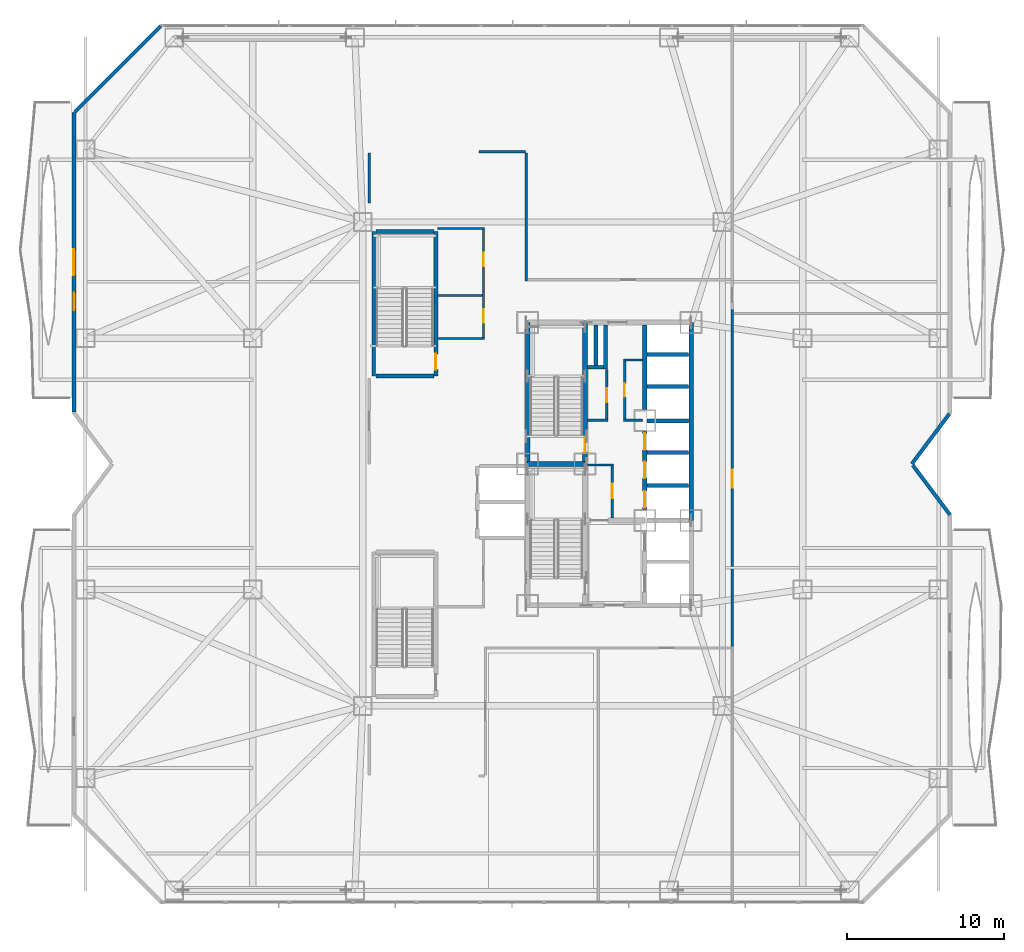
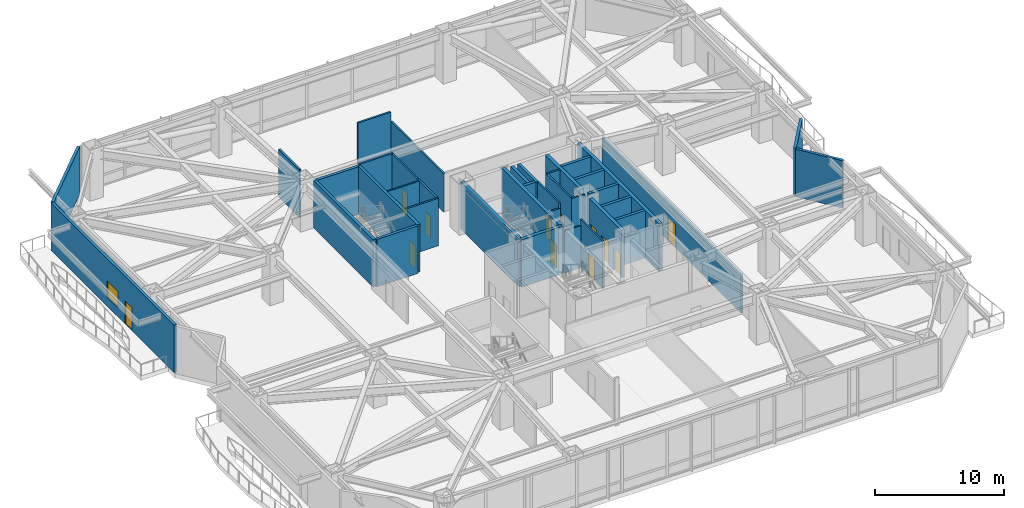
# One storey, part 24 of 33: 38 walls, 12 doors, 1 window, 13 openings.
"""IFC4 building model written with IfcOpenShell, lengths in metres."""

from ifc_helpers import new_model, si_unit, direction, frame, frame_2d, origin, place, context, subcontext, project, spatial, rectangle, extrude, material, layer, layer_set, type_object, element, fill, save


model = new_model("IFC4")

# Units and contexts
model_context = context("Model", 3, precision=1e-05, world=origin(), true_north=direction((0.0, 1.0)))
body_context = subcontext(model_context, "Body", "Model", "MODEL_VIEW")
ifc_project = project(units=[si_unit("LENGTHUNIT", "METRE"), si_unit("AREAUNIT", "SQUARE_METRE"), si_unit("VOLUMEUNIT", "CUBIC_METRE"), si_unit("PLANEANGLEUNIT", "RADIAN"), si_unit("MASSUNIT", "GRAM", prefix="KILO")], contexts=[model_context])

# Site, building, storey
site_placement = place(None, origin())
site = spatial("IfcSite", under=ifc_project, at=site_placement, CompositionType="ELEMENT")
building_placement = place(site_placement, origin())
building = spatial("IfcBuilding", under=site, at=building_placement, Name="Khamvora Tower", CompositionType="ELEMENT")
storey_placement = place(building_placement, frame((0.0, 0.0, 7.199951171875)))
storey = spatial("IfcBuildingStorey", under=building, at=storey_placement, Name="L01", CompositionType="ELEMENT", Elevation=7.199951171875)

# Walls
ifc_material_1 = material(Name="Concrete C50/60", Category="concrete")
ifc_layer_1 = layer(ifc_material_1, 0.300048828125)
ifc_layer_set_1 = layer_set([ifc_layer_1], Name="Concrete C50/60")
wall_type_1 = type_object("IfcWallType", Name="WAL-CORE-300", PredefinedType="SHEAR", material=ifc_layer_set_1)
wall_1_placement = place(storey_placement, frame((29.0, 28.0, 0.0), z_axis=(0.0, 0.0, 1.0), x_axis=(0.0, 1.0, 0.0)))
element("IfcWall", 1, at=wall_1_placement, inside=storey, type_object=wall_type_1, Name="L01 central core west north wall", PredefinedType="SHEAR", context=body_context, shape_type="SweptSolid", body=[
    extrude(rectangle(XDim=9.0, YDim=0.300048828125, at=frame_2d((4.5, 0.0))), origin(), (0.0, 0.0, 1.0), 4.47998046875),
])
wall_2_placement = place(storey_placement, frame((39.39990234375, 24.39990234375, 0.0), z_axis=(0.0, 0.0, 1.0), x_axis=(0.0, 1.0, 0.0)))
element("IfcWall", 2, at=wall_2_placement, inside=storey, type_object=wall_type_1, Name="L01 central core east north wall", PredefinedType="SHEAR", context=body_context, shape_type="SweptSolid", body=[
    extrude(rectangle(XDim=12.60009765625, YDim=0.300048828125, at=frame_2d((6.300048828125, 0.0))), origin(), (0.0, 0.0, 1.0), 4.47998046875),
])

# Wall, opening, door
wall_3_placement = place(storey_placement, frame((32.64990234375, 28.0, 0.0), z_axis=(0.0, 0.0, 1.0), x_axis=(0.0, 1.0, 0.0)))
wall_3 = element("IfcWall", 3, at=wall_3_placement, inside=storey, type_object=wall_type_1, Name="L01 central core stair north spine wall", PredefinedType="SHEAR", context=body_context, shape_type="SweptSolid", body=[
    extrude(rectangle(XDim=9.0, YDim=0.300048828125, at=frame_2d((4.5, 0.0))), origin(), (0.0, 0.0, 1.0), 4.47998046875),
])
opening_1_placement = place(wall_3_placement, frame((0.719970703125, 0.0, 0.0)))
opening_1 = element("IfcOpeningElement", 4, at=opening_1_placement, cuts=wall_3, Name="Opening D-ST1", PredefinedType="OPENING", context=body_context, shape_type="SweptSolid", body=[
    extrude(rectangle(XDim=1.0, YDim=2.14990234375, at=frame_2d((0.5, 1.074951171875))), frame((0.0, 0.159912109375, 0.0), z_axis=(0.0, -1.0, 0.0), x_axis=(1.0, 0.0, 0.0)), (0.0, 0.0, 1.0), 0.320068359375),
])
ifc_material_2 = material(Name="Powder-Coated Steel and Hardwood Leaf", Category="steel")
door_type_1 = type_object("IfcDoorType", Name="DOR-STAIR-1000", OperationType="NOTDEFINED", PredefinedType="DOOR", material=ifc_material_2)
door_1_placement = place(opening_1_placement, origin())
door_1 = element("IfcDoor", 5, at=door_1_placement, inside=storey, type_object=door_type_1, Name="L01 exit stair ST-02 fire door", OperationType="SINGLE_SWING_RIGHT", OverallHeight=2.14990234375, OverallWidth=1.0, PredefinedType="DOOR", context=body_context, shape_type="SweptSolid", body=[
    extrude(rectangle(XDim=1.0, YDim=2.14990234375, at=frame_2d((0.5, 1.074951171875))), frame((0.0, 0.02490234375, 0.0), z_axis=(0.0, -1.0, 0.0), x_axis=(1.0, 0.0, 0.0)), (0.0, 0.0, 1.0), 0.050048828125),
])
fill(opening_1, door_1)

# Wall
wall_4_placement = place(storey_placement, frame((29.0, 28.0, 0.0), z_axis=(0.0, 0.0, 1.0), x_axis=(1.0, 0.0, 0.0)))
element("IfcWall", 6, at=wall_4_placement, inside=storey, type_object=wall_type_1, Name="L01 central core stair cross wall", PredefinedType="SHEAR", context=body_context, shape_type="SweptSolid", body=[
    extrude(rectangle(XDim=3.64990234375, YDim=0.300048828125, at=frame_2d((1.824951171875, 0.0))), origin(), (0.0, 0.0, 1.0), 4.47998046875),
])

# Wall, openings, doors
wall_5_placement = place(storey_placement, frame((36.449951171875, 25.10009765625, 0.0), z_axis=(0.0, 0.0, 1.0), x_axis=(0.0, 1.0, 0.0)))
wall_5 = element("IfcWall", 7, at=wall_5_placement, inside=storey, type_object=wall_type_1, Name="L01 central core lift bank central wall", PredefinedType="SHEAR", context=body_context, shape_type="SweptSolid", body=[
    extrude(rectangle(XDim=4.949951171875, YDim=0.300048828125, at=frame_2d((2.47509765625, 0.0))), origin(), (0.0, 0.0, 1.0), 4.47998046875),
])
opening_2_placement = place(wall_5_placement, frame((0.1201171875, 0.0, 0.0)))
opening_2 = element("IfcOpeningElement", 8, at=opening_2_placement, cuts=wall_5, Name="Opening LD-PL", PredefinedType="OPENING", context=body_context, shape_type="SweptSolid", body=[
    extrude(rectangle(XDim=1.050048828125, YDim=2.14990234375, at=frame_2d((0.52490234375, 1.074951171875))), frame((0.0, 0.159912109375, 0.0), z_axis=(0.0, -1.0, 0.0), x_axis=(1.0, 0.0, 0.0)), (0.0, 0.0, 1.0), 0.320068359375),
])
opening_3_placement = place(wall_5_placement, frame((1.9951171875, 0.0, 0.0)))
opening_3 = element("IfcOpeningElement", 9, at=opening_3_placement, cuts=wall_5, Name="Opening LD-PL", PredefinedType="OPENING", context=body_context, shape_type="SweptSolid", body=[
    extrude(rectangle(XDim=1.050048828125, YDim=2.14990234375, at=frame_2d((0.52490234375, 1.074951171875))), frame((0.0, 0.159912109375, 0.0), z_axis=(0.0, -1.0, 0.0), x_axis=(1.0, 0.0, 0.0)), (0.0, 0.0, 1.0), 0.320068359375),
])
opening_4_placement = place(wall_5_placement, frame((3.794921875, 0.0, 0.0)))
opening_4 = element("IfcOpeningElement", 10, at=opening_4_placement, cuts=wall_5, Name="Opening LD-PL", PredefinedType="OPENING", context=body_context, shape_type="SweptSolid", body=[
    extrude(rectangle(XDim=1.050048828125, YDim=2.14990234375, at=frame_2d((0.52490234375, 1.074951171875))), frame((0.0, 0.159912109375, 0.0), z_axis=(0.0, -1.0, 0.0), x_axis=(1.0, 0.0, 0.0)), (0.0, 0.0, 1.0), 0.320068359375),
])
door_type_2 = type_object("IfcDoorType", Name="DOR-LIFT-1050", OperationType="SLIDING_TO_LEFT", PredefinedType="DOOR", material=ifc_material_2)
door_2_placement = place(opening_2_placement, origin())
door_2 = element("IfcDoor", 11, at=door_2_placement, inside=storey, type_object=door_type_2, Name="L01 lift landing sliding door PL-01", OperationType="SLIDING_TO_LEFT", OverallHeight=2.14990234375, OverallWidth=1.050048828125, PredefinedType="DOOR", context=body_context, shape_type="SweptSolid", body=[
    extrude(rectangle(XDim=1.050048828125, YDim=2.14990234375, at=frame_2d((0.52490234375, 1.074951171875))), frame((0.0, 0.02490234375, 0.0), z_axis=(0.0, -1.0, 0.0), x_axis=(1.0, 0.0, 0.0)), (0.0, 0.0, 1.0), 0.050048828125),
])
fill(opening_2, door_2)
door_3_placement = place(opening_3_placement, origin())
door_3 = element("IfcDoor", 12, at=door_3_placement, inside=storey, type_object=door_type_2, Name="L01 lift landing sliding door PL-02", OperationType="SLIDING_TO_LEFT", OverallHeight=2.14990234375, OverallWidth=1.050048828125, PredefinedType="DOOR", context=body_context, shape_type="SweptSolid", body=[
    extrude(rectangle(XDim=1.050048828125, YDim=2.14990234375, at=frame_2d((0.52490234375, 1.074951171875))), frame((0.0, 0.02490234375, 0.0), z_axis=(0.0, -1.0, 0.0), x_axis=(1.0, 0.0, 0.0)), (0.0, 0.0, 1.0), 0.050048828125),
])
fill(opening_3, door_3)
door_4_placement = place(opening_4_placement, origin())
door_4 = element("IfcDoor", 13, at=door_4_placement, inside=storey, type_object=door_type_2, Name="L01 lift landing sliding door PL-03", OperationType="SLIDING_TO_LEFT", OverallHeight=2.14990234375, OverallWidth=1.050048828125, PredefinedType="DOOR", context=body_context, shape_type="SweptSolid", body=[
    extrude(rectangle(XDim=1.050048828125, YDim=2.14990234375, at=frame_2d((0.52490234375, 1.074951171875))), frame((0.0, 0.02490234375, 0.0), z_axis=(0.0, -1.0, 0.0), x_axis=(1.0, 0.0, 0.0)), (0.0, 0.0, 1.0), 0.050048828125),
])
fill(opening_4, door_4)

# Walls
wall_6_placement = place(storey_placement, frame((36.449951171875, 31.449951171875, 0.0), z_axis=(0.0, 0.0, 1.0), x_axis=(0.0, 1.0, 0.0)))
element("IfcWall", 14, at=wall_6_placement, inside=storey, type_object=wall_type_1, Name="L01 central core lift bank north wall", PredefinedType="SHEAR", context=body_context, shape_type="SweptSolid", body=[
    extrude(rectangle(XDim=5.39599609375, YDim=0.300048828125, at=frame_2d((2.697998046875, 0.0))), origin(), (0.0, 0.0, 1.0), 4.47998046875),
])
ifc_material_3 = material(Name="Fire-Rated Drywall and Steel Stud", Category="steel")
ifc_layer_2 = layer(ifc_material_3, 0.14990234375)
ifc_layer_set_2 = layer_set([ifc_layer_2], Name="Fire-Rated Drywall and Steel Stud")
wall_type_2 = type_object("IfcWallType", Name="WAL-CORR-150", PredefinedType="STANDARD", material=ifc_layer_set_2)
wall_7_placement = place(storey_placement, frame((36.305908203125, 34.614990234375, 0.0), z_axis=(0.0, 0.0, 1.0), x_axis=(-1.0, 0.0, 0.0)))
element("IfcWall", 15, at=wall_7_placement, inside=storey, type_object=wall_type_2, Name="L01 interior partition wall 001", PredefinedType="STANDARD", context=body_context, shape_type="SweptSolid", body=[
    extrude(rectangle(XDim=1.205810546875, YDim=0.14990234375, at=frame_2d((0.60302734375, 0.0))), origin(), (0.0, 0.0, 1.0), 4.47998046875),
])

# Wall, opening, door
wall_8_placement = place(storey_placement, frame((35.1650390625, 34.677978515625, 0.0), z_axis=(0.0, 0.0, 1.0), x_axis=(0.0, -1.0, 0.0)))
wall_8 = element("IfcWall", 16, at=wall_8_placement, inside=storey, type_object=wall_type_2, Name="L01 interior partition wall 002", PredefinedType="STANDARD", context=body_context, shape_type="SweptSolid", body=[
    extrude(rectangle(XDim=3.9580078125, YDim=0.14990234375, at=frame_2d((1.97900390625, 0.0))), origin(), (0.0, 0.0, 1.0), 4.47998046875),
])
opening_5_placement = place(wall_8_placement, frame((1.553955078125, 0.0, 0.0)))
opening_5 = element("IfcOpeningElement", 17, at=opening_5_placement, cuts=wall_8, Name="Opening D-WC1", PredefinedType="OPENING", context=body_context, shape_type="SweptSolid", body=[
    extrude(rectangle(XDim=0.85009765625, YDim=2.10009765625, at=frame_2d((0.425048828125, 1.050048828125))), frame((0.0, 0.0849609375, 0.0), z_axis=(0.0, -1.0, 0.0), x_axis=(1.0, 0.0, 0.0)), (0.0, 0.0, 1.0), 0.169921875),
])
door_type_3 = type_object("IfcDoorType", Name="DOR-WET-850", OperationType="NOTDEFINED", PredefinedType="DOOR", material=ifc_material_2)
door_5_placement = place(opening_5_placement, origin())
door_5 = element("IfcDoor", 18, at=door_5_placement, inside=storey, type_object=door_type_3, Name="L01 interior door PLL-CS1", OperationType="SINGLE_SWING_LEFT", OverallHeight=2.10009765625, OverallWidth=0.85009765625, PredefinedType="DOOR", context=body_context, shape_type="SweptSolid", body=[
    extrude(rectangle(XDim=0.85009765625, YDim=2.10009765625, at=frame_2d((0.425048828125, 1.050048828125))), frame((0.0, 0.02490234375, 0.0), z_axis=(0.0, -1.0, 0.0), x_axis=(1.0, 0.0, 0.0)), (0.0, 0.0, 1.0), 0.050048828125),
])
fill(opening_5, door_5)

# Walls
wall_9_placement = place(storey_placement, frame((35.10205078125, 30.784912109375, 0.0), z_axis=(0.0, 0.0, 1.0), x_axis=(1.0, 0.0, 0.0)))
element("IfcWall", 19, at=wall_9_placement, inside=storey, type_object=wall_type_2, Name="L01 interior partition wall 003", PredefinedType="STANDARD", context=body_context, shape_type="SweptSolid", body=[
    extrude(rectangle(XDim=1.197998046875, YDim=0.14990234375, at=frame_2d((0.59912109375, 0.0))), origin(), (0.0, 0.0, 1.0), 4.47998046875),
])
wall_10_placement = place(storey_placement, frame((32.7939453125, 30.784912109375, 0.0), z_axis=(0.0, 0.0, 1.0), x_axis=(1.0, 0.0, 0.0)))
element("IfcWall", 20, at=wall_10_placement, inside=storey, type_object=wall_type_2, Name="L01 interior partition wall 004", PredefinedType="STANDARD", context=body_context, shape_type="SweptSolid", body=[
    extrude(rectangle(XDim=1.30615234375, YDim=0.14990234375, at=frame_2d((0.653076171875, 0.0))), origin(), (0.0, 0.0, 1.0), 3.93701171875),
])

# Wall, opening, door
wall_11_placement = place(storey_placement, frame((34.034912109375, 30.719970703125, 0.0), z_axis=(0.0, 0.0, 1.0), x_axis=(0.0, 1.0, 0.0)))
wall_11 = element("IfcWall", 21, at=wall_11_placement, inside=storey, type_object=wall_type_2, Name="L01 interior partition wall 005", PredefinedType="STANDARD", context=body_context, shape_type="SweptSolid", body=[
    extrude(rectangle(XDim=3.300048828125, YDim=0.14990234375, at=frame_2d((1.64990234375, 0.0))), origin(), (0.0, 0.0, 1.0), 4.47998046875),
])
opening_6_placement = place(wall_11_placement, frame((1.199951171875, 0.0, 0.0)))
opening_6 = element("IfcOpeningElement", 22, at=opening_6_placement, cuts=wall_11, Name="Opening D-RM1", PredefinedType="OPENING", context=body_context, shape_type="SweptSolid", body=[
    extrude(rectangle(XDim=0.89990234375, YDim=2.10009765625, at=frame_2d((0.449951171875, 1.050048828125))), frame((0.0, 0.0849609375, 0.0), z_axis=(0.0, -1.0, 0.0), x_axis=(1.0, 0.0, 0.0)), (0.0, 0.0, 1.0), 0.169921875),
])
door_type_4 = type_object("IfcDoorType", Name="DOR-ROOM-900", OperationType="NOTDEFINED", PredefinedType="DOOR", material=ifc_material_2)
door_6_placement = place(opening_6_placement, origin())
door_6 = element("IfcDoor", 23, at=door_6_placement, inside=storey, type_object=door_type_4, Name="L01 interior door PLL-CS2", OperationType="SINGLE_SWING_RIGHT", OverallHeight=2.10009765625, OverallWidth=0.89990234375, PredefinedType="DOOR", context=body_context, shape_type="SweptSolid", body=[
    extrude(rectangle(XDim=0.89990234375, YDim=2.10009765625, at=frame_2d((0.449951171875, 1.050048828125))), frame((0.0, 0.02490234375, 0.0), z_axis=(0.0, -1.0, 0.0), x_axis=(1.0, 0.0, 0.0)), (0.0, 0.0, 1.0), 0.050048828125),
])
fill(opening_6, door_6)

wall_12_placement = place(storey_placement, frame((34.385009765625, 24.5439453125, 0.0), z_axis=(0.0, 0.0, 1.0), x_axis=(0.0, 1.0, 0.0)))
wall_12 = element("IfcWall", 24, at=wall_12_placement, inside=storey, type_object=wall_type_2, Name="L01 interior partition wall 006", PredefinedType="STANDARD", context=body_context, shape_type="SweptSolid", body=[
    extrude(rectangle(XDim=3.4560546875, YDim=0.14990234375, at=frame_2d((1.72802734375, 0.0))), origin(), (0.0, 0.0, 1.0), 4.47998046875),
])
opening_7_placement = place(wall_12_placement, frame((1.278076171875, 0.0, 0.0)))
opening_7 = element("IfcOpeningElement", 25, at=opening_7_placement, cuts=wall_12, Name="Opening D-RM1", PredefinedType="OPENING", context=body_context, shape_type="SweptSolid", body=[
    extrude(rectangle(XDim=0.89990234375, YDim=2.10009765625, at=frame_2d((0.449951171875, 1.050048828125))), frame((0.0, 0.0849609375, 0.0), z_axis=(0.0, -1.0, 0.0), x_axis=(1.0, 0.0, 0.0)), (0.0, 0.0, 1.0), 0.169921875),
])
door_7_placement = place(opening_7_placement, origin())
door_7 = element("IfcDoor", 26, at=door_7_placement, inside=storey, type_object=door_type_4, Name="L01 interior door PLL-CS3", OperationType="SINGLE_SWING_LEFT", OverallHeight=2.10009765625, OverallWidth=0.89990234375, PredefinedType="DOOR", context=body_context, shape_type="SweptSolid", body=[
    extrude(rectangle(XDim=0.89990234375, YDim=2.10009765625, at=frame_2d((0.449951171875, 1.050048828125))), frame((0.0, 0.02490234375, 0.0), z_axis=(0.0, -1.0, 0.0), x_axis=(1.0, 0.0, 0.0)), (0.0, 0.0, 1.0), 0.050048828125),
])
fill(opening_7, door_7)

# Walls
wall_13_placement = place(storey_placement, frame((34.449951171875, 27.93505859375, 0.0), z_axis=(0.0, 0.0, 1.0), x_axis=(-1.0, 0.0, 0.0)))
element("IfcWall", 27, at=wall_13_placement, inside=storey, type_object=wall_type_2, Name="L01 interior partition wall 007", PredefinedType="STANDARD", context=body_context, shape_type="SweptSolid", body=[
    extrude(rectangle(XDim=1.656005859375, YDim=0.14990234375, at=frame_2d((0.828125, 0.0))), origin(), (0.0, 0.0, 1.0), 3.93701171875),
])
wall_14_placement = place(storey_placement, frame((23.26708984375, 35.985107421875, 0.0), z_axis=(0.0, 0.0, 1.0), x_axis=(1.0, 0.0, 0.0)))
element("IfcWall", 28, at=wall_14_placement, inside=storey, type_object=wall_type_2, Name="L01 interior partition wall 010", PredefinedType="STANDARD", context=body_context, shape_type="SweptSolid", body=[
    extrude(rectangle(XDim=2.98291015625, YDim=0.14990234375, at=frame_2d((1.491455078125, 0.0))), origin(), (0.0, 0.0, 1.0), 4.47998046875),
])

# Wall, opening, door
wall_15_placement = place(storey_placement, frame((26.18505859375, 35.922119140625, 0.0), z_axis=(0.0, 0.0, 1.0), x_axis=(0.0, 1.0, 0.0)))
wall_15 = element("IfcWall", 29, at=wall_15_placement, inside=storey, type_object=wall_type_2, Name="L01 interior partition wall 011", PredefinedType="STANDARD", context=body_context, shape_type="SweptSolid", body=[
    extrude(rectangle(XDim=3.0419921875, YDim=0.14990234375, at=frame_2d((1.52099609375, 0.0))), origin(), (0.0, 0.0, 1.0), 4.47998046875),
])
opening_8_placement = place(wall_15_placement, frame((1.074951171875, 0.0, 0.0)))
opening_8 = element("IfcOpeningElement", 30, at=opening_8_placement, cuts=wall_15, Name="Opening D-WC1", PredefinedType="OPENING", context=body_context, shape_type="SweptSolid", body=[
    extrude(rectangle(XDim=0.85009765625, YDim=2.10009765625, at=frame_2d((0.425048828125, 1.050048828125))), frame((0.0, 0.0849609375, 0.0), z_axis=(0.0, -1.0, 0.0), x_axis=(1.0, 0.0, 0.0)), (0.0, 0.0, 1.0), 0.169921875),
])
door_8_placement = place(opening_8_placement, origin())
door_8 = element("IfcDoor", 31, at=door_8_placement, inside=storey, type_object=door_type_3, Name="L01 interior door SCOR-WCA", OperationType="SINGLE_SWING_LEFT", OverallHeight=2.10009765625, OverallWidth=0.85009765625, PredefinedType="DOOR", context=body_context, shape_type="SweptSolid", body=[
    extrude(rectangle(XDim=0.85009765625, YDim=2.10009765625, at=frame_2d((0.425048828125, 1.050048828125))), frame((0.0, 0.02490234375, 0.0), z_axis=(0.0, -1.0, 0.0), x_axis=(1.0, 0.0, 0.0)), (0.0, 0.0, 1.0), 0.050048828125),
])
fill(opening_8, door_8)

wall_16_placement = place(storey_placement, frame((26.18505859375, 38.964111328125, 0.0), z_axis=(0.0, 0.0, 1.0), x_axis=(0.0, 1.0, 0.0)))
wall_16 = element("IfcWall", 32, at=wall_16_placement, inside=storey, type_object=wall_type_2, Name="L01 interior partition wall 012", PredefinedType="STANDARD", context=body_context, shape_type="SweptSolid", body=[
    extrude(rectangle(XDim=4.0859375, YDim=0.14990234375, at=frame_2d((2.04296875, 0.0))), origin(), (0.0, 0.0, 1.0), 4.47998046875),
])
opening_9_placement = place(wall_16_placement, frame((1.617919921875, 0.0, 0.0)))
opening_9 = element("IfcOpeningElement", 33, at=opening_9_placement, cuts=wall_16, Name="Opening D-WC1", PredefinedType="OPENING", context=body_context, shape_type="SweptSolid", body=[
    extrude(rectangle(XDim=0.85009765625, YDim=2.10009765625, at=frame_2d((0.425048828125, 1.050048828125))), frame((0.0, 0.0849609375, 0.0), z_axis=(0.0, -1.0, 0.0), x_axis=(1.0, 0.0, 0.0)), (0.0, 0.0, 1.0), 0.169921875),
])
door_9_placement = place(opening_9_placement, origin())
door_9 = element("IfcDoor", 34, at=door_9_placement, inside=storey, type_object=door_type_3, Name="L01 interior door SCOR-WCF", OperationType="SINGLE_SWING_RIGHT", OverallHeight=2.10009765625, OverallWidth=0.85009765625, PredefinedType="DOOR", context=body_context, shape_type="SweptSolid", body=[
    extrude(rectangle(XDim=0.85009765625, YDim=2.10009765625, at=frame_2d((0.425048828125, 1.050048828125))), frame((0.0, 0.02490234375, 0.0), z_axis=(0.0, -1.0, 0.0), x_axis=(1.0, 0.0, 0.0)), (0.0, 0.0, 1.0), 0.050048828125),
])
fill(opening_9, door_9)

# Walls
wall_17_placement = place(storey_placement, frame((26.25, 42.985107421875, 0.0), z_axis=(0.0, 0.0, 1.0), x_axis=(-1.0, 0.0, 0.0)))
element("IfcWall", 35, at=wall_17_placement, inside=storey, type_object=wall_type_2, Name="L01 interior partition wall 013", PredefinedType="STANDARD", context=body_context, shape_type="SweptSolid", body=[
    extrude(rectangle(XDim=3.0, YDim=0.14990234375, at=frame_2d((1.5, 0.0))), origin(), (0.0, 0.0, 1.0), 4.47998046875),
])
wall_18_placement = place(storey_placement, frame((18.9150390625, 44.60009765625, 0.0), z_axis=(0.0, 0.0, 1.0), x_axis=(0.0, 1.0, 0.0)))
element("IfcWall", 36, at=wall_18_placement, inside=storey, type_object=wall_type_2, Name="L01 interior partition wall 015", PredefinedType="STANDARD", context=body_context, shape_type="SweptSolid", body=[
    extrude(rectangle(XDim=3.199951171875, YDim=0.14990234375, at=frame_2d((1.60009765625, 0.0))), origin(), (0.0, 0.0, 1.0), 4.47998046875),
])

# Wall, opening, door
wall_19_placement = place(storey_placement, frame((42.014892578125, 37.81396484375, 0.0), z_axis=(0.0, 0.0, 1.0), x_axis=(0.0, -1.0, 0.0)))
wall_19 = element("IfcWall", 37, at=wall_19_placement, inside=storey, type_object=wall_type_2, Name="L01 interior partition wall 017", PredefinedType="STANDARD", context=body_context, shape_type="SweptSolid", body=[
    extrude(rectangle(XDim=21.4638671875, YDim=0.14990234375, at=frame_2d((10.73193359375, 0.0))), origin(), (0.0, 0.0, 1.0), 3.614990234375),
])
opening_10_placement = place(wall_19_placement, frame((10.177978515625, 0.0, 0.0)))
opening_10 = element("IfcOpeningElement", 38, at=opening_10_placement, cuts=wall_19, Name="Opening D-SC1", PredefinedType="OPENING", context=body_context, shape_type="SweptSolid", body=[
    extrude(rectangle(XDim=1.14990234375, YDim=2.199951171875, at=frame_2d((0.574951171875, 1.10009765625))), frame((0.0, 0.0849609375, 0.0), z_axis=(0.0, -1.0, 0.0), x_axis=(1.0, 0.0, 0.0)), (0.0, 0.0, 1.0), 0.169921875),
])
door_type_5 = type_object("IfcDoorType", Name="DOR-SCHL-1150", OperationType="NOTDEFINED", PredefinedType="DOOR", material=ifc_material_2)
door_10_placement = place(opening_10_placement, origin())
door_10 = element("IfcDoor", 39, at=door_10_placement, inside=storey, type_object=door_type_5, Name="L01 interior door SCOR-CAF", OperationType="SINGLE_SWING_RIGHT", OverallHeight=2.199951171875, OverallWidth=1.14990234375, PredefinedType="DOOR", context=body_context, shape_type="SweptSolid", body=[
    extrude(rectangle(XDim=1.14990234375, YDim=2.199951171875, at=frame_2d((0.574951171875, 1.10009765625))), frame((0.0, 0.02490234375, 0.0), z_axis=(0.0, -1.0, 0.0), x_axis=(1.0, 0.0, 0.0)), (0.0, 0.0, 1.0), 0.050048828125),
])
fill(opening_10, door_10)

# Walls
wall_20_placement = place(storey_placement, frame((25.910888671875, 47.864990234375, 0.0), z_axis=(0.0, 0.0, 1.0), x_axis=(1.0, 0.0, 0.0)))
element("IfcWall", 40, at=wall_20_placement, inside=storey, type_object=wall_type_2, Name="L01 interior partition wall 023", PredefinedType="STANDARD", context=body_context, shape_type="SweptSolid", body=[
    extrude(rectangle(XDim=2.939208984375, YDim=0.14990234375, at=frame_2d((1.4697265625, 0.0))), origin(), (0.0, 0.0, 1.0), 4.47998046875),
])
wall_21_placement = place(storey_placement, frame((28.9150390625, 47.800048828125, 0.0), z_axis=(0.0, 0.0, 1.0), x_axis=(0.0, -1.0, 0.0)))
element("IfcWall", 41, at=wall_21_placement, inside=storey, type_object=wall_type_2, Name="L01 interior partition wall 024", PredefinedType="STANDARD", context=body_context, shape_type="SweptSolid", body=[
    extrude(rectangle(XDim=8.150146484375, YDim=0.14990234375, at=frame_2d((4.0751953125, 0.0))), origin(), (0.0, 0.0, 1.0), 3.614990234375),
])

# Wall, openings, door, window
ifc_material_4 = material(Name="Precast concrete C40/50", Category="concrete")
ifc_layer_3 = layer(ifc_material_4, 0.239990234375)
ifc_layer_set_3 = layer_set([ifc_layer_3], Name="Precast concrete C40/50")
wall_type_3 = type_object("IfcWallType", Name="WAL-EXT-240", PredefinedType="STANDARD", material=ifc_layer_set_3)
wall_22_placement = place(storey_placement, frame((0.1201171875, 31.303955078125, 0.0), z_axis=(0.0, 0.0, 1.0), x_axis=(0.0, 1.0, 0.0)))
wall_22 = element("IfcWall", 42, at=wall_22_placement, inside=storey, type_object=wall_type_3, Name="L01 exterior facade wall 05.1", PredefinedType="STANDARD", context=body_context, shape_type="SweptSolid", body=[
    extrude(rectangle(XDim=19.046142578125, YDim=0.239990234375, at=frame_2d((9.52294921875, 0.0))), origin(), (0.0, 0.0, 1.0), 4.47998046875),
])
opening_11_placement = place(wall_22_placement, frame((6.489990234375, 0.0, 0.0)))
opening_11 = element("IfcOpeningElement", 43, at=opening_11_placement, cuts=wall_22, Name="Opening BD-01", PredefinedType="OPENING", context=body_context, shape_type="SweptSolid", body=[
    extrude(rectangle(XDim=1.10009765625, YDim=2.199951171875, at=frame_2d((0.550048828125, 1.10009765625))), frame((0.0, 0.1298828125, 0.0), z_axis=(0.0, -1.0, 0.0), x_axis=(1.0, 0.0, 0.0)), (0.0, 0.0, 1.0), 0.260009765625),
])
opening_12_placement = place(wall_22_placement, frame((8.697998046875, 0.0, 0.85009765625)))
opening_12 = element("IfcOpeningElement", 44, at=opening_12_placement, cuts=wall_22, Name="Opening WN-06", PredefinedType="OPENING", context=body_context, shape_type="SweptSolid", body=[
    extrude(rectangle(XDim=1.64990234375, YDim=1.550048828125, at=frame_2d((0.824951171875, 0.77490234375))), frame((0.0, 0.1298828125, 0.0), z_axis=(0.0, -1.0, 0.0), x_axis=(1.0, 0.0, 0.0)), (0.0, 0.0, 1.0), 0.260009765625),
])
ifc_material_5 = material(Name="Anodised Aluminium and Laminated Safety Glass", Category="aluminium")
door_type_6 = type_object("IfcDoorType", Name="DOR-BAL-1100", OperationType="NOTDEFINED", PredefinedType="DOOR", material=ifc_material_5)
door_11_placement = place(opening_11_placement, origin())
door_11 = element("IfcDoor", 45, at=door_11_placement, inside=storey, type_object=door_type_6, Name="L01 lens gallery balcony door WL2", OperationType="SLIDING_TO_LEFT", OverallHeight=2.199951171875, OverallWidth=1.10009765625, PredefinedType="DOOR", context=body_context, shape_type="SweptSolid", body=[
    extrude(rectangle(XDim=1.10009765625, YDim=2.199951171875, at=frame_2d((0.550048828125, 1.10009765625))), frame((0.0, 0.02490234375, 0.0), z_axis=(0.0, -1.0, 0.0), x_axis=(1.0, 0.0, 0.0)), (0.0, 0.0, 1.0), 0.050048828125),
])
fill(opening_11, door_11)
ifc_material_6 = material(Name="Low-E Laminated Double Glazing", Category="glass")
window_type = type_object("IfcWindowType", Name="WIN-VIS-1650x1550", PartitioningType="SINGLE_PANEL", PredefinedType="WINDOW", material=ifc_material_6)
window_placement = place(opening_12_placement, origin())
window = element("IfcWindow", 46, at=window_placement, inside=storey, type_object=window_type, Name="L01 vision window 05.1.01", OverallHeight=1.550048828125, OverallWidth=1.64990234375, PartitioningType="SINGLE_PANEL", PredefinedType="WINDOW", context=body_context, shape_type="SweptSolid", body=[
    extrude(rectangle(XDim=1.64990234375, YDim=1.550048828125, at=frame_2d((0.824951171875, 0.77490234375))), frame((0.0, 0.030029296875, 0.0), z_axis=(0.0, -1.0, 0.0), x_axis=(1.0, 0.0, 0.0)), (0.0, 0.0, 1.0), 0.06005859375),
])
fill(opening_12, window)

# Walls
wall_23_placement = place(storey_placement, frame((0.175048828125, 50.405029296875, 0.0), z_axis=(0.0, 0.0, 1.0), x_axis=(0.707106781187, 0.707106781187, 0.0)))
element("IfcWall", 47, at=wall_23_placement, inside=storey, type_object=wall_type_3, Name="L01 exterior facade wall 06.1", PredefinedType="STANDARD", context=body_context, shape_type="SweptSolid", body=[
    extrude(rectangle(XDim=7.74267578125, YDim=0.239990234375, at=frame_2d((3.871337890625, 0.0))), origin(), (0.0, 0.0, 1.0), 4.47998046875),
])
wall_24_placement = place(storey_placement, frame((55.842041015625, 31.18896484375, 0.0), z_axis=(0.0, 0.0, 1.0), x_axis=(-0.600058791648, -0.799955902889, 0.0)))
element("IfcWall", 48, at=wall_24_placement, inside=storey, type_object=wall_type_3, Name="L01 exterior facade wall 10.1", PredefinedType="STANDARD", context=body_context, shape_type="SweptSolid", body=[
    extrude(rectangle(XDim=3.986328125, YDim=0.239990234375, at=frame_2d((1.9931640625, 0.0))), origin(), (0.0, 0.0, 1.0), 4.47998046875),
])
wall_25_placement = place(storey_placement, frame((53.512939453125, 27.916015625, 0.0), z_axis=(0.0, 0.0, 1.0), x_axis=(0.599990098106, -0.800007426325, 0.0)))
element("IfcWall", 49, at=wall_25_placement, inside=storey, type_object=wall_type_3, Name="L01 exterior facade wall 11.1", PredefinedType="STANDARD", context=body_context, shape_type="SweptSolid", body=[
    extrude(rectangle(XDim=3.945068359375, YDim=0.239990234375, at=frame_2d((1.97265625, 0.0))), origin(), (0.0, 0.0, 1.0), 4.47998046875),
])
ifc_material_7 = material(Name="Concrete C40/50", Category="concrete")
ifc_layer_4 = layer(ifc_material_7, 0.25)
ifc_layer_set_4 = layer_set([ifc_layer_4], Name="Concrete C40/50")
wall_type_4 = type_object("IfcWallType", Name="WAL-PODS-250", PredefinedType="SHEAR", material=ifc_layer_set_4)
for number, where, z_axis, x_axis, name in (
    (50, (36.60400390625, 26.625, 0.0), (0.0, 0.0, 1.0), (1.0, 0.0, 0.0), "L01 lift shaft divider wall PL-01"),
    (51, (36.60400390625, 28.72509765625, 0.0), (0.0, 0.0, 1.0), (1.0, 0.0, 0.0), "L01 lift shaft divider wall PL-02"),
    (52, (36.60400390625, 30.72509765625, 0.0), (0.0, 0.0, 1.0), (1.0, 0.0, 0.0), "L01 lift shaft divider wall PL-03"),
    (53, (36.60400390625, 32.925048828125, 0.0), (0.0, 0.0, 1.0), (1.0, 0.0, 0.0), "L01 lift shaft divider wall PH-01"),
    (54, (36.60400390625, 34.97509765625, 0.0), (0.0, 0.0, 1.0), (1.0, 0.0, 0.0), "L01 lift shaft divider wall PH-02"),
):
    element("IfcWall", number, at=place(storey_placement, frame(where, z_axis=z_axis, x_axis=x_axis)), inside=storey, type_object=wall_type_4, Name=name, PredefinedType="SHEAR", context=body_context, shape_type="SweptSolid", body=[
        extrude(rectangle(XDim=2.64208984375, YDim=0.25, at=frame_2d((1.321044921875, 0.0))), origin(), (0.0, 0.0, 1.0), 4.47998046875),
    ])
wall_26_placement = place(storey_placement, frame((33.955078125, 34.02490234375, 0.0), z_axis=(0.0, 0.0, 1.0), x_axis=(0.0, 1.0, 0.0)))
element("IfcWall", 55, at=wall_26_placement, inside=storey, type_object=wall_type_4, Name="L01 vertical MEP riser shaft east enclosure wall", PredefinedType="SHEAR", context=body_context, shape_type="SweptSolid", body=[
    extrude(rectangle(XDim=2.821044921875, YDim=0.25, at=frame_2d((1.41064453125, 0.0))), origin(), (0.0, 0.0, 1.0), 4.47998046875),
])
wall_27_placement = place(storey_placement, frame((32.803955078125, 34.14990234375, 0.0), z_axis=(0.0, 0.0, 1.0), x_axis=(1.0, 0.0, 0.0)))
element("IfcWall", 56, at=wall_27_placement, inside=storey, type_object=wall_type_4, Name="L01 vertical MEP riser shaft south enclosure wall", PredefinedType="SHEAR", context=body_context, shape_type="SweptSolid", body=[
    extrude(rectangle(XDim=1.02197265625, YDim=0.25, at=frame_2d((0.510986328125, 0.0))), origin(), (0.0, 0.0, 1.0), 4.47998046875),
])
wall_28_placement = place(storey_placement, frame((33.340087890625, 34.279052734375, 0.0), z_axis=(0.0, 0.0, 1.0), x_axis=(0.0, 1.0, 0.0)))
element("IfcWall", 57, at=wall_28_placement, inside=storey, type_object=wall_type_4, Name="L01 vertical MEP riser shaft divider enclosure wall", PredefinedType="SHEAR", context=body_context, shape_type="SweptSolid", body=[
    extrude(rectangle(XDim=2.56689453125, YDim=0.25, at=frame_2d((1.283447265625, 0.0))), origin(), (0.0, 0.0, 1.0), 4.47998046875),
])
wall_29_placement = place(storey_placement, frame((19.199951171875, 33.60009765625, 0.0), z_axis=(0.0, 0.0, 1.0), x_axis=(0.0, 1.0, 0.0)))
element("IfcWall", 58, at=wall_29_placement, inside=storey, type_object=wall_type_4, Name="L01 podium stair core wall st4 w", PredefinedType="SHEAR", context=body_context, shape_type="SweptSolid", body=[
    extrude(rectangle(XDim=9.199951171875, YDim=0.25, at=frame_2d((4.60009765625, 0.0))), origin(), (0.0, 0.0, 1.0), 4.47998046875),
])

# Wall, opening, door
wall_30_placement = place(storey_placement, frame((23.14990234375, 33.60009765625, 0.0), z_axis=(0.0, 0.0, 1.0), x_axis=(0.0, 1.0, 0.0)))
wall_30 = element("IfcWall", 59, at=wall_30_placement, inside=storey, type_object=wall_type_4, Name="L01 podium stair core wall st4 e", PredefinedType="SHEAR", context=body_context, shape_type="SweptSolid", body=[
    extrude(rectangle(XDim=9.199951171875, YDim=0.25, at=frame_2d((4.60009765625, 0.0))), origin(), (0.0, 0.0, 1.0), 4.47998046875),
])
opening_13_placement = place(wall_30_placement, frame((0.39990234375, 0.0, 0.0)))
opening_13 = element("IfcOpeningElement", 60, at=opening_13_placement, cuts=wall_30, Name="Opening D-ST1", PredefinedType="OPENING", context=body_context, shape_type="SweptSolid", body=[
    extrude(rectangle(XDim=1.0, YDim=2.14990234375, at=frame_2d((0.5, 1.074951171875))), frame((0.0, 0.135009765625, 0.0), z_axis=(0.0, -1.0, 0.0), x_axis=(1.0, 0.0, 0.0)), (0.0, 0.0, 1.0), 0.27001953125),
])
door_12_placement = place(opening_13_placement, origin())
door_12 = element("IfcDoor", 61, at=door_12_placement, inside=storey, type_object=door_type_1, Name="L01 podium stair ST4 enclosure door", OperationType="SINGLE_SWING_LEFT", OverallHeight=2.14990234375, OverallWidth=1.0, PredefinedType="DOOR", context=body_context, shape_type="SweptSolid", body=[
    extrude(rectangle(XDim=1.0, YDim=2.14990234375, at=frame_2d((0.5, 1.074951171875))), frame((0.0, 0.02490234375, 0.0), z_axis=(0.0, -1.0, 0.0), x_axis=(1.0, 0.0, 0.0)), (0.0, 0.0, 1.0), 0.050048828125),
])
fill(opening_13, door_12)

# Walls
for number, where, z_axis, x_axis, name in (
    (62, (19.3291015625, 33.60009765625, 0.0), (0.0, 0.0, 1.0), (1.0, 0.0, 0.0), "L01 podium stair core wall st4 s"),
    (63, (19.3291015625, 42.800048828125, 0.0), (0.0, 0.0, 1.0), (1.0, 0.0, 0.0), "L01 podium stair core wall st4 n"),
):
    element("IfcWall", number, at=place(storey_placement, frame(where, z_axis=z_axis, x_axis=x_axis)), inside=storey, type_object=wall_type_4, Name=name, PredefinedType="SHEAR", context=body_context, shape_type="SweptSolid", body=[
        extrude(rectangle(XDim=3.69189453125, YDim=0.25, at=frame_2d((1.845947265625, 0.0))), origin(), (0.0, 0.0, 1.0), 4.47998046875),
    ])
ifc_material_8 = material(Name="Moisture-Resistant Plasterboard Partition", Category="gypsum")
ifc_layer_5 = layer(ifc_material_8, 0.135009765625)
ifc_layer_set_5 = layer_set([ifc_layer_5], Name="Moisture-Resistant Plasterboard Partition")
wall_type_5 = type_object("IfcWallType", Name="WAL-WET-135", PredefinedType="PARTITIONING", material=ifc_layer_set_5)
wall_31_placement = place(storey_placement, frame((23.26708984375, 38.715087890625, 0.0), z_axis=(0.0, 0.0, 1.0), x_axis=(1.0, 0.0, 0.0)))
element("IfcWall", 64, at=wall_31_placement, inside=storey, type_object=wall_type_5, Name="L01 interior partition wall 026", PredefinedType="PARTITIONING", context=body_context, shape_type="SweptSolid", body=[
    extrude(rectangle(XDim=2.850830078125, YDim=0.135009765625, at=frame_2d((1.42529296875, 0.0))), origin(), (0.0, 0.0, 1.0), 4.47998046875),
])

save(model, "model.ifc")
